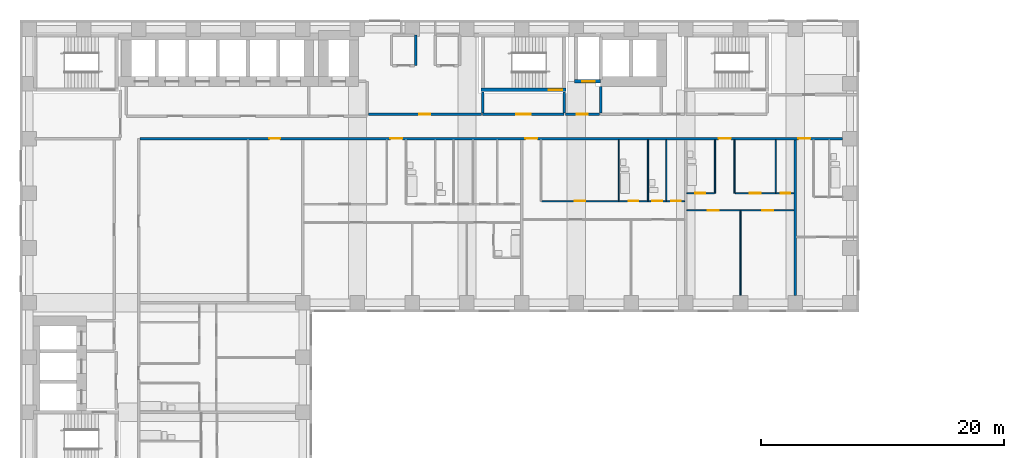
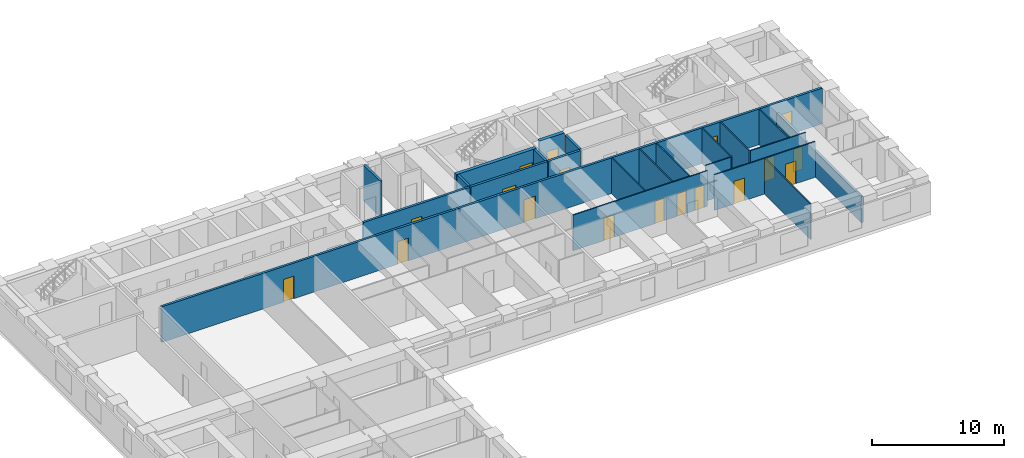
# One storey, part 7 of 12: 22 walls, 19 doors, 19 openings.
"""IFC4 building model written with IfcOpenShell, lengths in metres."""

from ifc_helpers import new_model, si_unit, direction, frame, frame_2d, origin, place, context, subcontext, project, spatial, rectangle, extrude, material, layer, layer_set, type_object, element, fill, save


model = new_model("IFC4")

# Units and contexts
model_context = context("Model", 3, precision=1e-05, world=origin(), true_north=direction((0.0, 1.0)))
body_context = subcontext(model_context, "Body", "Model", "MODEL_VIEW")
ifc_project = project(units=[si_unit("LENGTHUNIT", "METRE"), si_unit("AREAUNIT", "SQUARE_METRE"), si_unit("VOLUMEUNIT", "CUBIC_METRE"), si_unit("PLANEANGLEUNIT", "RADIAN"), si_unit("MASSUNIT", "GRAM", prefix="KILO")], contexts=[model_context])

# Site, building, storey
site_placement = place(None, origin())
site = spatial("IfcSite", under=ifc_project, at=site_placement, CompositionType="ELEMENT")
building_placement = place(site_placement, origin())
building = spatial("IfcBuilding", under=site, at=building_placement, Name="Firuza Court", CompositionType="ELEMENT")
storey_placement = place(building_placement, frame((0.0, 0.0, 36.199951171875)))
storey = spatial("IfcBuildingStorey", under=building, at=storey_placement, Name="L07", CompositionType="ELEMENT", Elevation=36.199951171875)

# Walls
ifc_material_1 = material(Name="Moisture-resistant gypsum board partition")
ifc_layer_1 = layer(ifc_material_1, 0.10009765625)
ifc_layer_set_1 = layer_set([ifc_layer_1], Name="Moisture-resistant gypsum board partition")
wall_type_1 = type_object("IfcWallType", Name="Bathroom partition 100", PredefinedType="PLUMBINGWALL", material=ifc_layer_set_1)
for number, where, z_axis, x_axis, name in (
    (1, (48.5, 44.39990234375, 0.0), (0.0, 0.0, 1.0), (0.0, 1.0, 0.0), "Bathroom partition 100 L07"),
    (2, (50.89990234375, 44.39990234375, 0.0), (0.0, 0.0, 1.0), (0.0, 1.0, 0.0), "Bathroom partition 100 L07"),
    (3, (52.39990234375, 44.39990234375, 0.0), (0.0, 0.0, 1.0), (0.0, 1.0, 0.0), "Bathroom partition 100 L07"),
):
    element("IfcWall", number, at=place(storey_placement, frame(where, z_axis=z_axis, x_axis=x_axis)), inside=storey, type_object=wall_type_1, Name=name, PredefinedType="PLUMBINGWALL", context=body_context, shape_type="SweptSolid", body=[
        extrude(rectangle(XDim=5.0, YDim=0.10009765625, at=frame_2d((2.5, 0.0))), origin(), (0.0, 0.0, 1.0), 3.300048828125),
    ])
wall_1_placement = place(storey_placement, frame((56.39990234375, 45.0, 0.0), z_axis=(0.0, 0.0, 1.0), x_axis=(0.0, 1.0, 0.0)))
element("IfcWall", 4, at=wall_1_placement, inside=storey, type_object=wall_type_1, Name="Bathroom partition 100 L07", PredefinedType="PLUMBINGWALL", context=body_context, shape_type="SweptSolid", body=[
    extrude(rectangle(XDim=4.39990234375, YDim=0.10009765625, at=frame_2d((2.199951171875, 0.0))), origin(), (0.0, 0.0, 1.0), 3.300048828125),
])

# Wall, opening, door
ifc_material_2 = material(Name="Concrete C60/75", Category="concrete")
ifc_layer_2 = layer(ifc_material_2, 0.300048828125)
ifc_layer_set_2 = layer_set([ifc_layer_2], Name="Concrete C60/75")
wall_type_2 = type_object("IfcWallType", Name="Core wall 300 C60/75", PredefinedType="SHEAR", material=ifc_layer_set_2)
wall_2_placement = place(storey_placement, frame((37.14990234375, 53.5, -0.300048828125), z_axis=(0.0, 0.0, 1.0), x_axis=(1.0, 0.0, 0.0)))
wall_2 = element("IfcWall", 5, at=wall_2_placement, inside=storey, type_object=wall_type_2, Name="Core wall stair L07", PredefinedType="SHEAR", context=body_context, shape_type="SweptSolid", body=[
    extrude(rectangle(XDim=7.0, YDim=0.300048828125, at=frame_2d((3.5, 0.0))), origin(), (0.0, 0.0, 1.0), 3.60009765625),
])
opening_1_placement = place(wall_2_placement, frame((5.580078125, 0.0, 0.300048828125)))
opening_1 = element("IfcOpeningElement", 6, at=opening_1_placement, cuts=wall_2, Name="Opening D07013", PredefinedType="OPENING", context=body_context, shape_type="SweptSolid", body=[
    extrude(rectangle(XDim=1.10009765625, YDim=2.10009765625, at=frame_2d((0.550048828125, 1.050048828125))), frame((0.0, 0.162109375, 0.0), z_axis=(0.0, -1.0, 0.0), x_axis=(1.0, 0.0, 0.0)), (0.0, 0.0, 1.0), 0.323974609375),
])
ifc_material_3 = material(Name="Timber door leaf in hardwood frame", Category="wood")
door_type_1 = type_object("IfcDoorType", Name="Stair door 1100", OperationType="SINGLE_SWING_LEFT", PredefinedType="DOOR", material=ifc_material_3)
door_1_placement = place(opening_1_placement, origin())
door_1 = element("IfcDoor", 7, at=door_1_placement, inside=storey, type_object=door_type_1, Name="Stair door S1", OperationType="SINGLE_SWING_RIGHT", OverallHeight=2.10009765625, OverallWidth=1.10009765625, PredefinedType="DOOR", context=body_context, shape_type="SweptSolid", body=[
    extrude(rectangle(XDim=1.10009765625, YDim=2.10009765625, at=frame_2d((0.550048828125, 1.050048828125))), frame((0.0, 0.02490234375, 0.0), z_axis=(0.0, -1.0, 0.0), x_axis=(1.0, 0.0, 0.0)), (0.0, 0.0, 1.0), 0.050048828125),
])
fill(opening_1, door_1)

wall_3_placement = place(storey_placement, frame((44.85009765625, 54.199951171875, -0.300048828125), z_axis=(0.0, 0.0, 1.0), x_axis=(1.0, 0.0, 0.0)))
wall_3 = element("IfcWall", 8, at=wall_3_placement, inside=storey, type_object=wall_type_2, Name="Core wall riser L07", PredefinedType="SHEAR", context=body_context, shape_type="SweptSolid", body=[
    extrude(rectangle(XDim=2.14990234375, YDim=0.300048828125, at=frame_2d((1.074951171875, 0.0))), origin(), (0.0, 0.0, 1.0), 3.60009765625),
])
opening_2_placement = place(wall_3_placement, frame((0.64990234375, 0.0, 0.300048828125)))
opening_2 = element("IfcOpeningElement", 9, at=opening_2_placement, cuts=wall_3, Name="Opening D07011", PredefinedType="OPENING", context=body_context, shape_type="SweptSolid", body=[
    extrude(rectangle(XDim=1.0, YDim=2.10009765625, at=frame_2d((0.5, 1.050048828125))), frame((0.0, 0.162109375, 0.0), z_axis=(0.0, -1.0, 0.0), x_axis=(1.0, 0.0, 0.0)), (0.0, 0.0, 1.0), 0.323974609375),
])
ifc_material_4 = material(Name="Timber door leaf in hardwood frame", Category="wood")
door_type_2 = type_object("IfcDoorType", Name="Riser door 1000", OperationType="SINGLE_SWING_LEFT", PredefinedType="DOOR", material=ifc_material_4)
door_2_placement = place(opening_2_placement, origin())
door_2 = element("IfcDoor", 10, at=door_2_placement, inside=storey, type_object=door_type_2, Name="Riser door R3", OperationType="SINGLE_SWING_LEFT", OverallHeight=2.10009765625, OverallWidth=1.0, PredefinedType="DOOR", context=body_context, shape_type="SweptSolid", body=[
    extrude(rectangle(XDim=1.0, YDim=2.10009765625, at=frame_2d((0.5, 1.050048828125))), frame((0.0, 0.02490234375, 0.0), z_axis=(0.0, -1.0, 0.0), x_axis=(1.0, 0.0, 0.0)), (0.0, 0.0, 1.0), 0.050048828125),
])
fill(opening_2, door_2)

# Wall, openings, doors
ifc_material_5 = material(Name="Blockwork, plastered both sides", Category="masonry")
ifc_layer_3 = layer(ifc_material_5, 0.199951171875)
ifc_layer_set_3 = layer_set([ifc_layer_3], Name="Blockwork, plastered both sides")
wall_type_3 = type_object("IfcWallType", Name="Corridor wall 200", PredefinedType="PARTITIONING", material=ifc_layer_set_3)
wall_4_placement = place(storey_placement, frame((9.10009765625, 49.5, 0.0), z_axis=(0.0, 0.0, 1.0), x_axis=(1.0, 0.0, 0.0)))
wall_4 = element("IfcWall", 11, at=wall_4_placement, inside=storey, type_object=wall_type_3, Name="Corridor wall 200 L07", PredefinedType="PARTITIONING", context=body_context, shape_type="SweptSolid", body=[
    extrude(rectangle(XDim=57.7998046875, YDim=0.199951171875, at=frame_2d((28.89990234375, 0.0))), origin(), (0.0, 0.0, 1.0), 3.300048828125),
])
opening_3_placement = place(wall_4_placement, frame((20.60009765625, 0.0, 0.0)))
opening_3 = element("IfcOpeningElement", 12, at=opening_3_placement, cuts=wall_4, Name="Opening D07066", PredefinedType="OPENING", context=body_context, shape_type="SweptSolid", body=[
    extrude(rectangle(XDim=1.0, YDim=2.10009765625, at=frame_2d((0.5, 1.050048828125))), frame((0.0, 0.11181640625, 0.0), z_axis=(0.0, -1.0, 0.0), x_axis=(1.0, 0.0, 0.0)), (0.0, 0.0, 1.0), 0.223876953125),
])
opening_4_placement = place(wall_4_placement, frame((31.699951171875, 0.0, 0.0)))
opening_4 = element("IfcOpeningElement", 13, at=opening_4_placement, cuts=wall_4, Name="Opening D07067", PredefinedType="OPENING", context=body_context, shape_type="SweptSolid", body=[
    extrude(rectangle(XDim=1.0, YDim=2.10009765625, at=frame_2d((0.5, 1.050048828125))), frame((0.0, 0.11181640625, 0.0), z_axis=(0.0, -1.0, 0.0), x_axis=(1.0, 0.0, 0.0)), (0.0, 0.0, 1.0), 0.223876953125),
])
opening_5_placement = place(wall_4_placement, frame((47.60009765625, 0.0, 0.0)))
opening_5 = element("IfcOpeningElement", 14, at=opening_5_placement, cuts=wall_4, Name="Opening D07068", PredefinedType="OPENING", context=body_context, shape_type="SweptSolid", body=[
    extrude(rectangle(XDim=1.0, YDim=2.10009765625, at=frame_2d((0.5, 1.050048828125))), frame((0.0, 0.11181640625, 0.0), z_axis=(0.0, -1.0, 0.0), x_axis=(1.0, 0.0, 0.0)), (0.0, 0.0, 1.0), 0.223876953125),
])
opening_6_placement = place(wall_4_placement, frame((54.14990234375, 0.0, 0.0)))
opening_6 = element("IfcOpeningElement", 15, at=opening_6_placement, cuts=wall_4, Name="Opening D07069", PredefinedType="OPENING", context=body_context, shape_type="SweptSolid", body=[
    extrude(rectangle(XDim=1.0, YDim=2.10009765625, at=frame_2d((0.5, 1.050048828125))), frame((0.0, 0.11181640625, 0.0), z_axis=(0.0, -1.0, 0.0), x_axis=(1.0, 0.0, 0.0)), (0.0, 0.0, 1.0), 0.223876953125),
])
opening_7_placement = place(wall_4_placement, frame((10.64990234375, 0.0, 0.0)))
opening_7 = element("IfcOpeningElement", 16, at=opening_7_placement, cuts=wall_4, Name="Opening D07070", PredefinedType="OPENING", context=body_context, shape_type="SweptSolid", body=[
    extrude(rectangle(XDim=0.89990234375, YDim=2.10009765625, at=frame_2d((0.449951171875, 1.050048828125))), frame((0.0, 0.11181640625, 0.0), z_axis=(0.0, -1.0, 0.0), x_axis=(1.0, 0.0, 0.0)), (0.0, 0.0, 1.0), 0.223876953125),
])
ifc_material_6 = material(Name="Timber door leaf in hardwood frame", Category="wood")
door_type_3 = type_object("IfcDoorType", Name="Flat entrance door 1000", OperationType="SINGLE_SWING_LEFT", PredefinedType="DOOR", material=ifc_material_6)
door_3_placement = place(opening_3_placement, origin())
door_3 = element("IfcDoor", 17, at=door_3_placement, inside=storey, type_object=door_type_3, Name="Flat entrance door", OperationType="SINGLE_SWING_LEFT", OverallHeight=2.10009765625, OverallWidth=1.0, PredefinedType="DOOR", context=body_context, shape_type="SweptSolid", body=[
    extrude(rectangle(XDim=1.0, YDim=2.10009765625, at=frame_2d((0.5, 1.050048828125))), frame((0.0, 0.02490234375, 0.0), z_axis=(0.0, -1.0, 0.0), x_axis=(1.0, 0.0, 0.0)), (0.0, 0.0, 1.0), 0.050048828125),
])
fill(opening_3, door_3)
door_4_placement = place(opening_4_placement, origin())
door_4 = element("IfcDoor", 18, at=door_4_placement, inside=storey, type_object=door_type_3, Name="Flat entrance door", OperationType="SINGLE_SWING_LEFT", OverallHeight=2.10009765625, OverallWidth=1.0, PredefinedType="DOOR", context=body_context, shape_type="SweptSolid", body=[
    extrude(rectangle(XDim=1.0, YDim=2.10009765625, at=frame_2d((0.5, 1.050048828125))), frame((0.0, 0.02490234375, 0.0), z_axis=(0.0, -1.0, 0.0), x_axis=(1.0, 0.0, 0.0)), (0.0, 0.0, 1.0), 0.050048828125),
])
fill(opening_4, door_4)
door_5_placement = place(opening_5_placement, origin())
door_5 = element("IfcDoor", 19, at=door_5_placement, inside=storey, type_object=door_type_3, Name="Flat entrance door", OperationType="SINGLE_SWING_LEFT", OverallHeight=2.10009765625, OverallWidth=1.0, PredefinedType="DOOR", context=body_context, shape_type="SweptSolid", body=[
    extrude(rectangle(XDim=1.0, YDim=2.10009765625, at=frame_2d((0.5, 1.050048828125))), frame((0.0, 0.02490234375, 0.0), z_axis=(0.0, -1.0, 0.0), x_axis=(1.0, 0.0, 0.0)), (0.0, 0.0, 1.0), 0.050048828125),
])
fill(opening_5, door_5)
door_6_placement = place(opening_6_placement, origin())
door_6 = element("IfcDoor", 20, at=door_6_placement, inside=storey, type_object=door_type_3, Name="Flat entrance door", OperationType="SINGLE_SWING_RIGHT", OverallHeight=2.10009765625, OverallWidth=1.0, PredefinedType="DOOR", context=body_context, shape_type="SweptSolid", body=[
    extrude(rectangle(XDim=1.0, YDim=2.10009765625, at=frame_2d((0.5, 1.050048828125))), frame((0.0, 0.02490234375, 0.0), z_axis=(0.0, -1.0, 0.0), x_axis=(1.0, 0.0, 0.0)), (0.0, 0.0, 1.0), 0.050048828125),
])
fill(opening_6, door_6)
ifc_material_7 = material(Name="Timber door leaf in hardwood frame", Category="wood")
door_type_4 = type_object("IfcDoorType", Name="Room door 900 EI 30", OperationType="SINGLE_SWING_LEFT", PredefinedType="DOOR", material=ifc_material_7)
door_7_placement = place(opening_7_placement, frame((0.89990234375, 0.0, 0.0), z_axis=(0.0, 0.0, 1.0), x_axis=(-1.0, 0.0, 0.0)))
door_7 = element("IfcDoor", 21, at=door_7_placement, inside=storey, type_object=door_type_4, Name="Library door", OperationType="SINGLE_SWING_RIGHT", OverallHeight=2.10009765625, OverallWidth=0.89990234375, PredefinedType="DOOR", context=body_context, shape_type="SweptSolid", body=[
    extrude(rectangle(XDim=0.89990234375, YDim=2.10009765625, at=frame_2d((0.449951171875, 1.050048828125))), frame((0.0, 0.02490234375, 0.0), z_axis=(0.0, -1.0, 0.0), x_axis=(1.0, 0.0, 0.0)), (0.0, 0.0, 1.0), 0.050048828125),
])
fill(opening_7, door_7)

# Wall, opening, door
wall_5_placement = place(storey_placement, frame((27.89990234375, 51.5, 0.0), z_axis=(0.0, 0.0, 1.0), x_axis=(1.0, 0.0, 0.0)))
wall_5 = element("IfcWall", 22, at=wall_5_placement, inside=storey, type_object=wall_type_3, Name="Corridor wall 200 L07", PredefinedType="PARTITIONING", context=body_context, shape_type="SweptSolid", body=[
    extrude(rectangle(XDim=9.300048828125, YDim=0.199951171875, at=frame_2d((4.64990234375, 0.0))), origin(), (0.0, 0.0, 1.0), 3.300048828125),
])
opening_8_placement = place(wall_5_placement, frame((4.199951171875, 0.0, 0.0)))
opening_8 = element("IfcOpeningElement", 23, at=opening_8_placement, cuts=wall_5, Name="Opening D07071", PredefinedType="OPENING", context=body_context, shape_type="SweptSolid", body=[
    extrude(rectangle(XDim=0.89990234375, YDim=2.10009765625, at=frame_2d((0.449951171875, 1.050048828125))), frame((0.0, 0.11181640625, 0.0), z_axis=(0.0, -1.0, 0.0), x_axis=(1.0, 0.0, 0.0)), (0.0, 0.0, 1.0), 0.223876953125),
])
door_8_placement = place(opening_8_placement, origin())
door_8 = element("IfcDoor", 24, at=door_8_placement, inside=storey, type_object=door_type_4, Name="Meeting room door", OperationType="SINGLE_SWING_LEFT", OverallHeight=2.10009765625, OverallWidth=0.89990234375, PredefinedType="DOOR", context=body_context, shape_type="SweptSolid", body=[
    extrude(rectangle(XDim=0.89990234375, YDim=2.10009765625, at=frame_2d((0.449951171875, 1.050048828125))), frame((0.0, 0.02490234375, 0.0), z_axis=(0.0, -1.0, 0.0), x_axis=(1.0, 0.0, 0.0)), (0.0, 0.0, 1.0), 0.050048828125),
])
fill(opening_8, door_8)

wall_6_placement = place(storey_placement, frame((44.10009765625, 51.5, 0.0), z_axis=(0.0, 0.0, 1.0), x_axis=(1.0, 0.0, 0.0)))
wall_6 = element("IfcWall", 25, at=wall_6_placement, inside=storey, type_object=wall_type_3, Name="Corridor wall 200 L07", PredefinedType="PARTITIONING", context=body_context, shape_type="SweptSolid", body=[
    extrude(rectangle(XDim=2.7998046875, YDim=0.199951171875, at=frame_2d((1.39990234375, 0.0))), origin(), (0.0, 0.0, 1.0), 3.300048828125),
])
opening_9_placement = place(wall_6_placement, frame((0.949951171875, 0.0, 0.0)))
opening_9 = element("IfcOpeningElement", 26, at=opening_9_placement, cuts=wall_6, Name="Opening D07072", PredefinedType="OPENING", context=body_context, shape_type="SweptSolid", body=[
    extrude(rectangle(XDim=0.89990234375, YDim=2.10009765625, at=frame_2d((0.449951171875, 1.050048828125))), frame((0.0, 0.11181640625, 0.0), z_axis=(0.0, -1.0, 0.0), x_axis=(1.0, 0.0, 0.0)), (0.0, 0.0, 1.0), 0.223876953125),
])
door_9_placement = place(opening_9_placement, origin())
door_9 = element("IfcDoor", 27, at=door_9_placement, inside=storey, type_object=door_type_4, Name="Staff pantry door", OperationType="SINGLE_SWING_LEFT", OverallHeight=2.10009765625, OverallWidth=0.89990234375, PredefinedType="DOOR", context=body_context, shape_type="SweptSolid", body=[
    extrude(rectangle(XDim=0.89990234375, YDim=2.10009765625, at=frame_2d((0.449951171875, 1.050048828125))), frame((0.0, 0.02490234375, 0.0), z_axis=(0.0, -1.0, 0.0), x_axis=(1.0, 0.0, 0.0)), (0.0, 0.0, 1.0), 0.050048828125),
])
fill(opening_9, door_9)

# Wall
ifc_material_8 = material(Name="Timber stud partition, plasterboard both sides", Category="wood")
ifc_layer_4 = layer(ifc_material_8, 0.10009765625)
ifc_layer_set_4 = layer_set([ifc_layer_4], Name="Timber stud partition, plasterboard both sides")
wall_type_4 = type_object("IfcWallType", Name="Partition wall 100", PredefinedType="PARTITIONING", material=ifc_layer_set_4)
wall_7_placement = place(storey_placement, frame((58.5, 36.60009765625, 0.0), z_axis=(0.0, 0.0, 1.0), x_axis=(0.0, 1.0, 0.0)))
element("IfcWall", 28, at=wall_7_placement, inside=storey, type_object=wall_type_4, Name="Partition wall 100 L07", PredefinedType="PARTITIONING", context=body_context, shape_type="SweptSolid", body=[
    extrude(rectangle(XDim=6.949951171875, YDim=0.10009765625, at=frame_2d((3.47509765625, 0.0))), origin(), (0.0, 0.0, 1.0), 3.300048828125),
])

# Wall, openings, doors
wall_8_placement = place(storey_placement, frame((54.10009765625, 43.60009765625, 0.0), z_axis=(0.0, 0.0, 1.0), x_axis=(1.0, 0.0, 0.0)))
wall_8 = element("IfcWall", 29, at=wall_8_placement, inside=storey, type_object=wall_type_4, Name="Partition wall 100 L07", PredefinedType="PARTITIONING", context=body_context, shape_type="SweptSolid", body=[
    extrude(rectangle(XDim=8.7998046875, YDim=0.10009765625, at=frame_2d((4.39990234375, 0.0))), origin(), (0.0, 0.0, 1.0), 3.300048828125),
])
opening_10_placement = place(wall_8_placement, frame((1.699951171875, 0.0, 0.0)))
opening_10 = element("IfcOpeningElement", 30, at=opening_10_placement, cuts=wall_8, Name="Opening D07049", PredefinedType="OPENING", context=body_context, shape_type="SweptSolid", body=[
    extrude(rectangle(XDim=0.89990234375, YDim=2.10009765625, at=frame_2d((0.449951171875, 1.050048828125))), frame((0.0, 0.06201171875, 0.0), z_axis=(0.0, -1.0, 0.0), x_axis=(1.0, 0.0, 0.0)), (0.0, 0.0, 1.0), 0.1240234375),
])
opening_11_placement = place(wall_8_placement, frame((6.199951171875, 0.0, 0.0)))
opening_11 = element("IfcOpeningElement", 31, at=opening_11_placement, cuts=wall_8, Name="Opening D07050", PredefinedType="OPENING", context=body_context, shape_type="SweptSolid", body=[
    extrude(rectangle(XDim=0.89990234375, YDim=2.10009765625, at=frame_2d((0.449951171875, 1.050048828125))), frame((0.0, 0.06201171875, 0.0), z_axis=(0.0, -1.0, 0.0), x_axis=(1.0, 0.0, 0.0)), (0.0, 0.0, 1.0), 0.1240234375),
])
ifc_material_9 = material(Name="Timber door leaf in hardwood frame", Category="wood")
door_type_5 = type_object("IfcDoorType", Name="Room door 900", OperationType="SINGLE_SWING_LEFT", PredefinedType="DOOR", material=ifc_material_9)
door_10_placement = place(opening_10_placement, frame((0.89990234375, 0.0, 0.0), z_axis=(0.0, 0.0, 1.0), x_axis=(-1.0, 0.0, 0.0)))
door_10 = element("IfcDoor", 32, at=door_10_placement, inside=storey, type_object=door_type_5, Name="Bedroom door", OperationType="SINGLE_SWING_RIGHT", OverallHeight=2.10009765625, OverallWidth=0.89990234375, PredefinedType="DOOR", context=body_context, shape_type="SweptSolid", body=[
    extrude(rectangle(XDim=0.89990234375, YDim=2.10009765625, at=frame_2d((0.449951171875, 1.050048828125))), frame((0.0, 0.02490234375, 0.0), z_axis=(0.0, -1.0, 0.0), x_axis=(1.0, 0.0, 0.0)), (0.0, 0.0, 1.0), 0.050048828125),
])
fill(opening_10, door_10)
door_11_placement = place(opening_11_placement, frame((0.89990234375, 0.0, 0.0), z_axis=(0.0, 0.0, 1.0), x_axis=(-1.0, 0.0, 0.0)))
door_11 = element("IfcDoor", 33, at=door_11_placement, inside=storey, type_object=door_type_5, Name="Living room door", OperationType="SINGLE_SWING_RIGHT", OverallHeight=2.10009765625, OverallWidth=0.89990234375, PredefinedType="DOOR", context=body_context, shape_type="SweptSolid", body=[
    extrude(rectangle(XDim=0.89990234375, YDim=2.10009765625, at=frame_2d((0.449951171875, 1.050048828125))), frame((0.0, 0.02490234375, 0.0), z_axis=(0.0, -1.0, 0.0), x_axis=(1.0, 0.0, 0.0)), (0.0, 0.0, 1.0), 0.050048828125),
])
fill(opening_11, door_11)

wall_9_placement = place(storey_placement, frame((42.14990234375, 44.35009765625, 0.0), z_axis=(0.0, 0.0, 1.0), x_axis=(1.0, 0.0, 0.0)))
wall_9 = element("IfcWall", 34, at=wall_9_placement, inside=storey, type_object=wall_type_4, Name="Partition wall 100 L07", PredefinedType="PARTITIONING", context=body_context, shape_type="SweptSolid", body=[
    extrude(rectangle(XDim=11.75, YDim=0.10009765625, at=frame_2d((5.875, 0.0))), origin(), (0.0, 0.0, 1.0), 3.300048828125),
])
opening_12_placement = place(wall_9_placement, frame((7.14990234375, 0.0, 0.0)))
opening_12 = element("IfcOpeningElement", 35, at=opening_12_placement, cuts=wall_9, Name="Opening D07057", PredefinedType="OPENING", context=body_context, shape_type="SweptSolid", body=[
    extrude(rectangle(XDim=0.800048828125, YDim=2.10009765625, at=frame_2d((0.39990234375, 1.050048828125))), frame((0.0, 0.06201171875, 0.0), z_axis=(0.0, -1.0, 0.0), x_axis=(1.0, 0.0, 0.0)), (0.0, 0.0, 1.0), 0.1240234375),
])
opening_13_placement = place(wall_9_placement, frame((2.699951171875, 0.0, 0.0)))
opening_13 = element("IfcOpeningElement", 36, at=opening_13_placement, cuts=wall_9, Name="Opening D07058", PredefinedType="OPENING", context=body_context, shape_type="SweptSolid", body=[
    extrude(rectangle(XDim=0.89990234375, YDim=2.10009765625, at=frame_2d((0.449951171875, 1.050048828125))), frame((0.0, 0.06201171875, 0.0), z_axis=(0.0, -1.0, 0.0), x_axis=(1.0, 0.0, 0.0)), (0.0, 0.0, 1.0), 0.1240234375),
])
opening_14_placement = place(wall_9_placement, frame((10.64990234375, 0.0, 0.0)))
opening_14 = element("IfcOpeningElement", 37, at=opening_14_placement, cuts=wall_9, Name="Opening D07059", PredefinedType="OPENING", context=body_context, shape_type="SweptSolid", body=[
    extrude(rectangle(XDim=0.800048828125, YDim=2.10009765625, at=frame_2d((0.39990234375, 1.050048828125))), frame((0.0, 0.06201171875, 0.0), z_axis=(0.0, -1.0, 0.0), x_axis=(1.0, 0.0, 0.0)), (0.0, 0.0, 1.0), 0.1240234375),
])
opening_15_placement = place(wall_9_placement, frame((9.10009765625, 0.0, 0.0)))
opening_15 = element("IfcOpeningElement", 38, at=opening_15_placement, cuts=wall_9, Name="Opening D07060", PredefinedType="OPENING", context=body_context, shape_type="SweptSolid", body=[
    extrude(rectangle(XDim=0.800048828125, YDim=2.10009765625, at=frame_2d((0.39990234375, 1.050048828125))), frame((0.0, 0.06201171875, 0.0), z_axis=(0.0, -1.0, 0.0), x_axis=(1.0, 0.0, 0.0)), (0.0, 0.0, 1.0), 0.1240234375),
])
ifc_material_10 = material(Name="Timber door leaf in hardwood frame", Category="wood")
door_type_6 = type_object("IfcDoorType", Name="Bathroom door 800", OperationType="SINGLE_SWING_LEFT", PredefinedType="DOOR", material=ifc_material_10)
door_12_placement = place(opening_12_placement, origin())
door_12 = element("IfcDoor", 39, at=door_12_placement, inside=storey, type_object=door_type_6, Name="Bathroom door", OperationType="SINGLE_SWING_LEFT", OverallHeight=2.10009765625, OverallWidth=0.800048828125, PredefinedType="DOOR", context=body_context, shape_type="SweptSolid", body=[
    extrude(rectangle(XDim=0.800048828125, YDim=2.10009765625, at=frame_2d((0.39990234375, 1.050048828125))), frame((0.0, 0.02490234375, 0.0), z_axis=(0.0, -1.0, 0.0), x_axis=(1.0, 0.0, 0.0)), (0.0, 0.0, 1.0), 0.050048828125),
])
fill(opening_12, door_12)
door_13_placement = place(opening_15_placement, origin())
door_13 = element("IfcDoor", 40, at=door_13_placement, inside=storey, type_object=door_type_6, Name="Powder room door", OperationType="SINGLE_SWING_LEFT", OverallHeight=2.10009765625, OverallWidth=0.800048828125, PredefinedType="DOOR", context=body_context, shape_type="SweptSolid", body=[
    extrude(rectangle(XDim=0.800048828125, YDim=2.10009765625, at=frame_2d((0.39990234375, 1.050048828125))), frame((0.0, 0.02490234375, 0.0), z_axis=(0.0, -1.0, 0.0), x_axis=(1.0, 0.0, 0.0)), (0.0, 0.0, 1.0), 0.050048828125),
])
fill(opening_15, door_13)
ifc_material_11 = material(Name="Timber door leaf in hardwood frame", Category="wood")
door_type_7 = type_object("IfcDoorType", Name="Room door 800", OperationType="SINGLE_SWING_LEFT", PredefinedType="DOOR", material=ifc_material_11)
door_14_placement = place(opening_14_placement, origin())
door_14 = element("IfcDoor", 41, at=door_14_placement, inside=storey, type_object=door_type_7, Name="Store door", OperationType="SINGLE_SWING_LEFT", OverallHeight=2.10009765625, OverallWidth=0.800048828125, PredefinedType="DOOR", context=body_context, shape_type="SweptSolid", body=[
    extrude(rectangle(XDim=0.800048828125, YDim=2.10009765625, at=frame_2d((0.39990234375, 1.050048828125))), frame((0.0, 0.02490234375, 0.0), z_axis=(0.0, -1.0, 0.0), x_axis=(1.0, 0.0, 0.0)), (0.0, 0.0, 1.0), 0.050048828125),
])
fill(opening_14, door_14)
door_15_placement = place(opening_13_placement, origin())
door_15 = element("IfcDoor", 42, at=door_15_placement, inside=storey, type_object=door_type_5, Name="Kitchen door", OperationType="SINGLE_SWING_LEFT", OverallHeight=2.10009765625, OverallWidth=0.89990234375, PredefinedType="DOOR", context=body_context, shape_type="SweptSolid", body=[
    extrude(rectangle(XDim=0.89990234375, YDim=2.10009765625, at=frame_2d((0.449951171875, 1.050048828125))), frame((0.0, 0.02490234375, 0.0), z_axis=(0.0, -1.0, 0.0), x_axis=(1.0, 0.0, 0.0)), (0.0, 0.0, 1.0), 0.050048828125),
])
fill(opening_13, door_15)

# Wall, opening, door
wall_10_placement = place(storey_placement, frame((54.10009765625, 45.0, 0.0), z_axis=(0.0, 0.0, 1.0), x_axis=(1.0, 0.0, 0.0)))
wall_10 = element("IfcWall", 43, at=wall_10_placement, inside=storey, type_object=wall_type_4, Name="Partition wall 100 L07", PredefinedType="PARTITIONING", context=body_context, shape_type="SweptSolid", body=[
    extrude(rectangle(XDim=2.25, YDim=0.10009765625, at=frame_2d((1.125, 0.0))), origin(), (0.0, 0.0, 1.0), 3.300048828125),
])
opening_16_placement = place(wall_10_placement, frame((0.699951171875, 0.0, 0.0)))
opening_16 = element("IfcOpeningElement", 44, at=opening_16_placement, cuts=wall_10, Name="Opening D07063", PredefinedType="OPENING", context=body_context, shape_type="SweptSolid", body=[
    extrude(rectangle(XDim=0.800048828125, YDim=2.10009765625, at=frame_2d((0.39990234375, 1.050048828125))), frame((0.0, 0.06201171875, 0.0), z_axis=(0.0, -1.0, 0.0), x_axis=(1.0, 0.0, 0.0)), (0.0, 0.0, 1.0), 0.1240234375),
])
door_16_placement = place(opening_16_placement, origin())
door_16 = element("IfcDoor", 45, at=door_16_placement, inside=storey, type_object=door_type_6, Name="Bathroom door", OperationType="SINGLE_SWING_LEFT", OverallHeight=2.10009765625, OverallWidth=0.800048828125, PredefinedType="DOOR", context=body_context, shape_type="SweptSolid", body=[
    extrude(rectangle(XDim=0.800048828125, YDim=2.10009765625, at=frame_2d((0.39990234375, 1.050048828125))), frame((0.0, 0.02490234375, 0.0), z_axis=(0.0, -1.0, 0.0), x_axis=(1.0, 0.0, 0.0)), (0.0, 0.0, 1.0), 0.050048828125),
])
fill(opening_16, door_16)

# Wall
wall_11_placement = place(storey_placement, frame((58.0, 45.0, 0.0), z_axis=(0.0, 0.0, 1.0), x_axis=(0.0, 1.0, 0.0)))
element("IfcWall", 46, at=wall_11_placement, inside=storey, type_object=wall_type_4, Name="Partition wall 100 L07", PredefinedType="PARTITIONING", context=body_context, shape_type="SweptSolid", body=[
    extrude(rectangle(XDim=4.39990234375, YDim=0.10009765625, at=frame_2d((2.199951171875, 0.0))), origin(), (0.0, 0.0, 1.0), 3.300048828125),
])

# Wall, openings, doors
wall_12_placement = place(storey_placement, frame((58.050048828125, 45.0, 0.0), z_axis=(0.0, 0.0, 1.0), x_axis=(1.0, 0.0, 0.0)))
wall_12 = element("IfcWall", 47, at=wall_12_placement, inside=storey, type_object=wall_type_4, Name="Partition wall 100 L07", PredefinedType="PARTITIONING", context=body_context, shape_type="SweptSolid", body=[
    extrude(rectangle(XDim=4.849853515625, YDim=0.10009765625, at=frame_2d((2.4248046875, 0.0))), origin(), (0.0, 0.0, 1.0), 3.300048828125),
])
opening_17_placement = place(wall_12_placement, frame((1.199951171875, 0.0, 0.0)))
opening_17 = element("IfcOpeningElement", 48, at=opening_17_placement, cuts=wall_12, Name="Opening D07064", PredefinedType="OPENING", context=body_context, shape_type="SweptSolid", body=[
    extrude(rectangle(XDim=0.89990234375, YDim=2.10009765625, at=frame_2d((0.449951171875, 1.050048828125))), frame((0.0, 0.06201171875, 0.0), z_axis=(0.0, -1.0, 0.0), x_axis=(1.0, 0.0, 0.0)), (0.0, 0.0, 1.0), 0.1240234375),
])
opening_18_placement = place(wall_12_placement, frame((3.75, 0.0, 0.0)))
opening_18 = element("IfcOpeningElement", 49, at=opening_18_placement, cuts=wall_12, Name="Opening D07065", PredefinedType="OPENING", context=body_context, shape_type="SweptSolid", body=[
    extrude(rectangle(XDim=0.800048828125, YDim=2.10009765625, at=frame_2d((0.39990234375, 1.050048828125))), frame((0.0, 0.06201171875, 0.0), z_axis=(0.0, -1.0, 0.0), x_axis=(1.0, 0.0, 0.0)), (0.0, 0.0, 1.0), 0.1240234375),
])
door_17_placement = place(opening_18_placement, origin())
door_17 = element("IfcDoor", 50, at=door_17_placement, inside=storey, type_object=door_type_7, Name="Store door", OperationType="SINGLE_SWING_LEFT", OverallHeight=2.10009765625, OverallWidth=0.800048828125, PredefinedType="DOOR", context=body_context, shape_type="SweptSolid", body=[
    extrude(rectangle(XDim=0.800048828125, YDim=2.10009765625, at=frame_2d((0.39990234375, 1.050048828125))), frame((0.0, 0.02490234375, 0.0), z_axis=(0.0, -1.0, 0.0), x_axis=(1.0, 0.0, 0.0)), (0.0, 0.0, 1.0), 0.050048828125),
])
fill(opening_18, door_17)
door_18_placement = place(opening_17_placement, origin())
door_18 = element("IfcDoor", 51, at=door_18_placement, inside=storey, type_object=door_type_5, Name="Kitchen door", OperationType="SINGLE_SWING_LEFT", OverallHeight=2.10009765625, OverallWidth=0.89990234375, PredefinedType="DOOR", context=body_context, shape_type="SweptSolid", body=[
    extrude(rectangle(XDim=0.89990234375, YDim=2.10009765625, at=frame_2d((0.449951171875, 1.050048828125))), frame((0.0, 0.02490234375, 0.0), z_axis=(0.0, -1.0, 0.0), x_axis=(1.0, 0.0, 0.0)), (0.0, 0.0, 1.0), 0.050048828125),
])
fill(opening_17, door_18)

# Walls
wall_13_placement = place(storey_placement, frame((61.39990234375, 45.050048828125, 0.0), z_axis=(0.0, 0.0, 1.0), x_axis=(0.0, 1.0, 0.0)))
element("IfcWall", 52, at=wall_13_placement, inside=storey, type_object=wall_type_4, Name="Partition wall 100 L07", PredefinedType="PARTITIONING", context=body_context, shape_type="SweptSolid", body=[
    extrude(rectangle(XDim=4.349853515625, YDim=0.10009765625, at=frame_2d((2.1748046875, 0.0))), origin(), (0.0, 0.0, 1.0), 3.300048828125),
])
ifc_layer_5 = layer(ifc_material_5, 0.199951171875)
ifc_layer_set_5 = layer_set([ifc_layer_5], Name="Blockwork, plastered both sides")
wall_type_5 = type_object("IfcWallType", Name="Party wall 200", PredefinedType="PARTITIONING", material=ifc_layer_set_5)
wall_14_placement = place(storey_placement, frame((63.0, 36.60009765625, 0.0), z_axis=(0.0, 0.0, 1.0), x_axis=(0.0, 1.0, 0.0)))
element("IfcWall", 53, at=wall_14_placement, inside=storey, type_object=wall_type_5, Name="Party wall 200 L07", PredefinedType="PARTITIONING", context=body_context, shape_type="SweptSolid", body=[
    extrude(rectangle(XDim=12.7998046875, YDim=0.199951171875, at=frame_2d((6.39990234375, 0.0))), origin(), (0.0, 0.0, 1.0), 2.400146484375),
])
ifc_material_12 = material(Name="Blockwork, fire-rated", Category="masonry")
ifc_layer_6 = layer(ifc_material_12, 0.199951171875)
ifc_layer_set_6 = layer_set([ifc_layer_6], Name="Blockwork, fire-rated")
wall_type_6 = type_object("IfcWallType", Name="Plant room wall 200", PredefinedType="PARTITIONING", material=ifc_layer_set_6)
wall_15_placement = place(storey_placement, frame((31.800048828125, 55.5, 0.0), z_axis=(0.0, 0.0, 1.0), x_axis=(0.0, 1.0, 0.0)))
element("IfcWall", 54, at=wall_15_placement, inside=storey, type_object=wall_type_6, Name="Plant room wall 200 L07", PredefinedType="PARTITIONING", context=body_context, shape_type="SweptSolid", body=[
    extrude(rectangle(XDim=2.5, YDim=0.199951171875, at=frame_2d((1.25, 0.0))), origin(), (0.0, 0.0, 1.0), 3.300048828125),
])
ifc_layer_7 = layer(ifc_material_12, 0.199951171875)
ifc_layer_set_7 = layer_set([ifc_layer_7], Name="Blockwork, fire-rated")
wall_type_7 = type_object("IfcWallType", Name="Shaft wall 200", PredefinedType="PARTITIONING", material=ifc_layer_set_7)
wall_16_placement = place(storey_placement, frame((47.0, 51.60009765625, 0.0), z_axis=(0.0, 0.0, 1.0), x_axis=(0.0, 1.0, 0.0)))
element("IfcWall", 55, at=wall_16_placement, inside=storey, type_object=wall_type_7, Name="Shaft wall 200 L07", PredefinedType="PARTITIONING", context=body_context, shape_type="SweptSolid", body=[
    extrude(rectangle(XDim=2.179931640625, YDim=0.199951171875, at=frame_2d((1.08984375, 0.0))), origin(), (0.0, 0.0, 1.0), 3.300048828125),
])

# Wall, opening, door
wall_17_placement = place(storey_placement, frame((37.300048828125, 51.5, 0.0), z_axis=(0.0, 0.0, 1.0), x_axis=(1.0, 0.0, 0.0)))
wall_17 = element("IfcWall", 56, at=wall_17_placement, inside=storey, type_object=wall_type_7, Name="Shaft wall 200 L07", PredefinedType="PARTITIONING", context=body_context, shape_type="SweptSolid", body=[
    extrude(rectangle(XDim=6.699951171875, YDim=0.199951171875, at=frame_2d((3.35009765625, 0.0))), origin(), (0.0, 0.0, 1.0), 3.300048828125),
])
opening_19_placement = place(wall_17_placement, frame((2.75, 0.0, 0.0)))
opening_19 = element("IfcOpeningElement", 57, at=opening_19_placement, cuts=wall_17, Name="Opening D07006", PredefinedType="OPENING", context=body_context, shape_type="SweptSolid", body=[
    extrude(rectangle(XDim=1.199951171875, YDim=2.10009765625, at=frame_2d((0.60009765625, 1.050048828125))), frame((0.0, 0.11181640625, 0.0), z_axis=(0.0, -1.0, 0.0), x_axis=(1.0, 0.0, 0.0)), (0.0, 0.0, 1.0), 0.223876953125),
])
ifc_material_13 = material(Name="Timber door leaf in hardwood frame", Category="wood")
door_type_8 = type_object("IfcDoorType", Name="Lobby door 1200", OperationType="SINGLE_SWING_LEFT", PredefinedType="DOOR", material=ifc_material_13)
door_19_placement = place(opening_19_placement, origin())
door_19 = element("IfcDoor", 58, at=door_19_placement, inside=storey, type_object=door_type_8, Name="Lobby door", OperationType="SINGLE_SWING_LEFT", OverallHeight=2.10009765625, OverallWidth=1.199951171875, PredefinedType="DOOR", context=body_context, shape_type="SweptSolid", body=[
    extrude(rectangle(XDim=1.199951171875, YDim=2.10009765625, at=frame_2d((0.60009765625, 1.050048828125))), frame((0.0, 0.02490234375, 0.0), z_axis=(0.0, -1.0, 0.0), x_axis=(1.0, 0.0, 0.0)), (0.0, 0.0, 1.0), 0.050048828125),
])
fill(opening_19, door_19)

# Walls
for number, where, z_axis, x_axis, name in (
    (59, (44.0, 51.60009765625, 0.0), (0.0, 0.0, 1.0), (0.0, 1.0, 0.0), "Shaft wall 200 L07"),
    (60, (37.300048828125, 51.60009765625, 0.0), (0.0, 0.0, 1.0), (0.0, 1.0, 0.0), "Shaft wall 200 L07"),
):
    element("IfcWall", number, at=place(storey_placement, frame(where, z_axis=z_axis, x_axis=x_axis)), inside=storey, type_object=wall_type_7, Name=name, PredefinedType="PARTITIONING", context=body_context, shape_type="SweptSolid", body=[
        extrude(rectangle(XDim=1.72998046875, YDim=0.199951171875, at=frame_2d((0.864990234375, 0.0))), origin(), (0.0, 0.0, 1.0), 3.300048828125),
    ])

save(model, "model.ifc")
